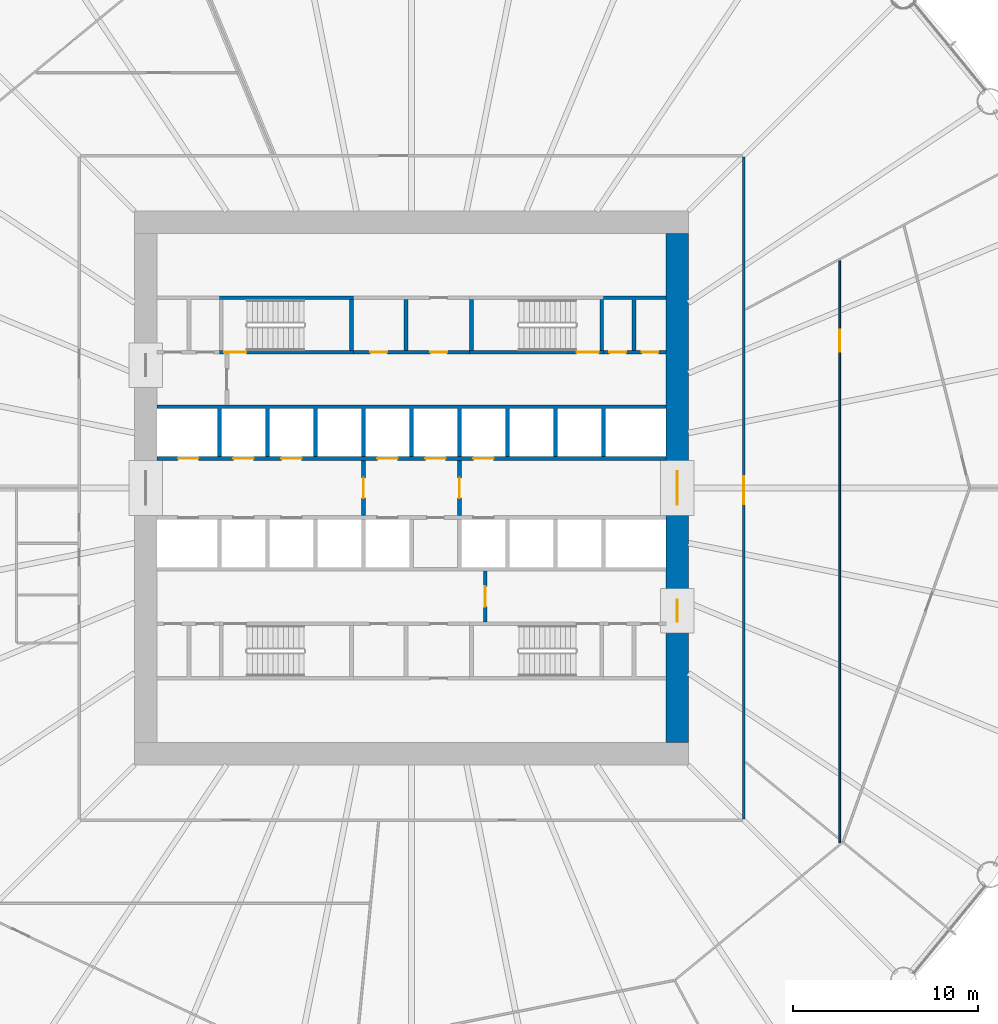
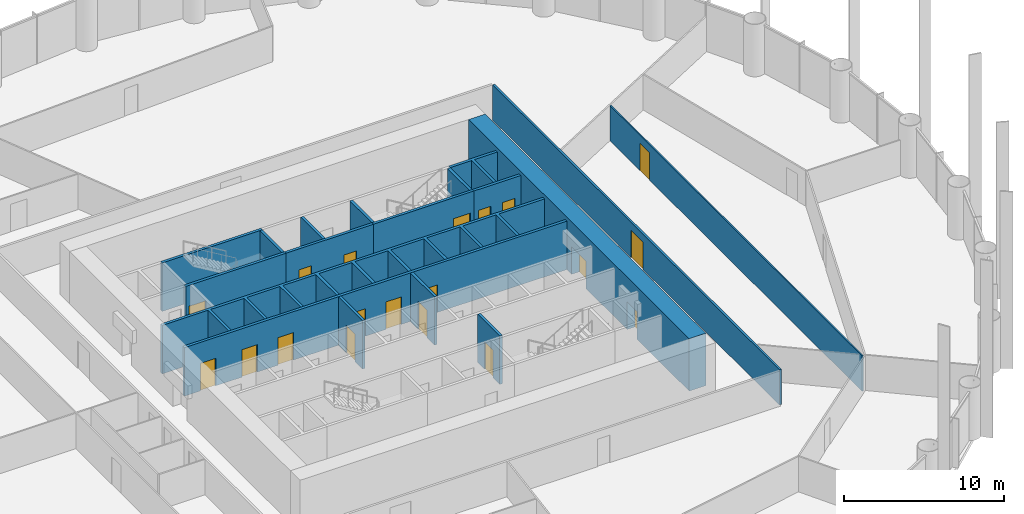
# One storey, part 11 of 14: 19 doors, 18 walls, 19 openings.
"""IFC4 building model written with IfcOpenShell, lengths in metres."""

from ifc_helpers import new_model, si_unit, direction, frame, frame_2d, origin, place, context, subcontext, project, spatial, polyline, rectangle, outline, extrude, material, layer, layer_set, type_object, element, fill, save


model = new_model("IFC4")

# Units and contexts
model_context = context("Model", 3, precision=1e-05, world=origin(), true_north=direction((0.0, 1.0)))
body_context = subcontext(model_context, "Body", "Model", "MODEL_VIEW")
ifc_project = project(units=[si_unit("LENGTHUNIT", "METRE"), si_unit("AREAUNIT", "SQUARE_METRE"), si_unit("VOLUMEUNIT", "CUBIC_METRE"), si_unit("PLANEANGLEUNIT", "RADIAN"), si_unit("MASSUNIT", "GRAM", prefix="KILO")], contexts=[model_context])

# Site, building, storey
site_placement = place(None, origin())
site = spatial("IfcSite", under=ifc_project, at=site_placement, CompositionType="ELEMENT")
building_placement = place(site_placement, origin())
building = spatial("IfcBuilding", under=site, at=building_placement, Name="Corvane Civic Tower", CompositionType="ELEMENT")
storey_placement = place(building_placement, frame((0.0, 0.0, 77.0)))
storey = spatial("IfcBuildingStorey", under=building, at=storey_placement, Name="L17", CompositionType="ELEMENT", Elevation=77.0)

# Wall, openings, doors
ifc_material_1 = material(Name="Concrete C80/95", Category="concrete")
ifc_layer_1 = layer(ifc_material_1, 1.199951171875)
ifc_layer_set_1 = layer_set([ifc_layer_1], Name="Concrete C80/95")
wall_type_1 = type_object("IfcWallType", Name="CORE WALL 1200 C80/95", PredefinedType="SHEAR", material=ifc_layer_set_1)
wall_1_placement = place(storey_placement, frame((14.39990234375, -13.800048828125, 0.0), z_axis=(0.0, 0.0, 1.0), x_axis=(0.0, 1.0, 0.0)))
wall_1 = element("IfcWall", 1, at=wall_1_placement, inside=storey, type_object=wall_type_1, Name="W-L17-core-E", PredefinedType="SHEAR", context=body_context, shape_type="SweptSolid", body=[
    extrude(rectangle(XDim=27.60009765625, YDim=1.199951171875, at=frame_2d((13.800048828125, 0.0))), origin(), (0.0, 0.0, 1.0), 4.0),
])
opening_1_placement = place(wall_1_placement, frame((12.89990234375, 0.0, 0.0)))
opening_1 = element("IfcOpeningElement", 2, at=opening_1_placement, cuts=wall_1, Name="Opening L17.C25", PredefinedType="OPENING", context=body_context, shape_type="SweptSolid", body=[
    extrude(rectangle(XDim=1.800048828125, YDim=2.10009765625, at=frame_2d((0.89990234375, 1.050048828125))), frame((0.0, 0.60986328125, 0.0), z_axis=(0.0, -1.0, 0.0), x_axis=(1.0, 0.0, 0.0)), (0.0, 0.0, 1.0), 1.219970703125),
])
opening_2_placement = place(wall_1_placement, frame((6.550048828125, 0.0, 0.0)))
opening_2 = element("IfcOpeningElement", 3, at=opening_2_placement, cuts=wall_1, Name="Opening L17.C27", PredefinedType="OPENING", context=body_context, shape_type="SweptSolid", body=[
    extrude(rectangle(XDim=1.199951171875, YDim=2.10009765625, at=frame_2d((0.60009765625, 1.050048828125))), frame((0.0, 0.60986328125, 0.0), z_axis=(0.0, -1.0, 0.0), x_axis=(1.0, 0.0, 0.0)), (0.0, 0.0, 1.0), 1.219970703125),
])
ifc_material_2 = material(Name="Steel fire door leaf", Category="steel")
door_type_1 = type_object("IfcDoorType", Name="CR-DOOR-CORE-1800", OperationType="DOUBLE_DOOR_SINGLE_SWING", PredefinedType="DOOR", material=ifc_material_2)
door_1_placement = place(opening_1_placement, origin())
door_1 = element("IfcDoor", 4, at=door_1_placement, inside=storey, type_object=door_type_1, Name="L17 door", OperationType="DOUBLE_DOOR_SINGLE_SWING", OverallHeight=2.10009765625, OverallWidth=1.800048828125, PredefinedType="DOOR", context=body_context, shape_type="SweptSolid", body=[
    extrude(rectangle(XDim=1.800048828125, YDim=2.10009765625, at=frame_2d((0.89990234375, 1.050048828125))), frame((0.0, 0.02490234375, 0.0), z_axis=(0.0, -1.0, 0.0), x_axis=(1.0, 0.0, 0.0)), (0.0, 0.0, 1.0), 0.050048828125),
])
fill(opening_1, door_1)
door_2_placement = place(opening_2_placement, origin())
door_2 = element("IfcDoor", 5, at=door_2_placement, inside=storey, type_object=door_type_1, Name="L17 door", OperationType="DOUBLE_DOOR_SINGLE_SWING", OverallHeight=2.10009765625, OverallWidth=1.199951171875, PredefinedType="DOOR", context=body_context, shape_type="SweptSolid", body=[
    extrude(rectangle(XDim=1.199951171875, YDim=2.10009765625, at=frame_2d((0.60009765625, 1.050048828125))), frame((0.0, 0.02490234375, 0.0), z_axis=(0.0, -1.0, 0.0), x_axis=(1.0, 0.0, 0.0)), (0.0, 0.0, 1.0), 0.050048828125),
])
fill(opening_2, door_2)

ifc_material_3 = material(Name="Concrete C30/37", Category="concrete")
ifc_layer_2 = layer(ifc_material_3, 0.199951171875)
ifc_layer_set_2 = layer_set([ifc_layer_2], Name="Concrete C30/37")
wall_type_2 = type_object("IfcWallType", Name="CR-WALL-200", PredefinedType="PARTITIONING", material=ifc_layer_set_2)
wall_2_placement = place(storey_placement, frame((-13.800048828125, 1.60009765625, 0.0), z_axis=(0.0, 0.0, 1.0), x_axis=(1.0, 0.0, 0.0)))
wall_2 = element("IfcWall", 6, at=wall_2_placement, inside=storey, type_object=wall_type_2, Name="L17 lift shaft wall", PredefinedType="PARTITIONING", context=body_context, shape_type="SweptSolid", body=[
    extrude(rectangle(XDim=27.60009765625, YDim=0.199951171875, at=frame_2d((13.800048828125, 0.0))), origin(), (0.0, 0.0, 1.0), 3.699951171875),
])
opening_3_placement = place(wall_2_placement, frame((1.14990234375, 0.0, 0.0)))
opening_3 = element("IfcOpeningElement", 7, at=opening_3_placement, cuts=wall_2, Name="Opening LD", PredefinedType="OPENING", context=body_context, shape_type="SweptSolid", body=[
    extrude(rectangle(XDim=1.10009765625, YDim=2.10009765625, at=frame_2d((0.550048828125, 1.050048828125))), frame((0.0, 0.10986328125, 0.0), z_axis=(0.0, -1.0, 0.0), x_axis=(1.0, 0.0, 0.0)), (0.0, 0.0, 1.0), 0.219970703125),
])
opening_4_placement = place(wall_2_placement, frame((4.14990234375, 0.0, 0.0)))
opening_4 = element("IfcOpeningElement", 8, at=opening_4_placement, cuts=wall_2, Name="Opening LD", PredefinedType="OPENING", context=body_context, shape_type="SweptSolid", body=[
    extrude(rectangle(XDim=1.10009765625, YDim=2.10009765625, at=frame_2d((0.550048828125, 1.050048828125))), frame((0.0, 0.10986328125, 0.0), z_axis=(0.0, -1.0, 0.0), x_axis=(1.0, 0.0, 0.0)), (0.0, 0.0, 1.0), 0.219970703125),
])
opening_5_placement = place(wall_2_placement, frame((6.75, 0.0, 0.0)))
opening_5 = element("IfcOpeningElement", 9, at=opening_5_placement, cuts=wall_2, Name="Opening LD", PredefinedType="OPENING", context=body_context, shape_type="SweptSolid", body=[
    extrude(rectangle(XDim=1.10009765625, YDim=2.10009765625, at=frame_2d((0.550048828125, 1.050048828125))), frame((0.0, 0.10986328125, 0.0), z_axis=(0.0, -1.0, 0.0), x_axis=(1.0, 0.0, 0.0)), (0.0, 0.0, 1.0), 0.219970703125),
])
opening_6_placement = place(wall_2_placement, frame((11.949951171875, 0.0, 0.0)))
opening_6 = element("IfcOpeningElement", 10, at=opening_6_placement, cuts=wall_2, Name="Opening LD", PredefinedType="OPENING", context=body_context, shape_type="SweptSolid", body=[
    extrude(rectangle(XDim=1.10009765625, YDim=2.10009765625, at=frame_2d((0.550048828125, 1.050048828125))), frame((0.0, 0.10986328125, 0.0), z_axis=(0.0, -1.0, 0.0), x_axis=(1.0, 0.0, 0.0)), (0.0, 0.0, 1.0), 0.219970703125),
])
opening_7_placement = place(wall_2_placement, frame((14.550048828125, 0.0, 0.0)))
opening_7 = element("IfcOpeningElement", 11, at=opening_7_placement, cuts=wall_2, Name="Opening LD", PredefinedType="OPENING", context=body_context, shape_type="SweptSolid", body=[
    extrude(rectangle(XDim=1.10009765625, YDim=2.10009765625, at=frame_2d((0.550048828125, 1.050048828125))), frame((0.0, 0.10986328125, 0.0), z_axis=(0.0, -1.0, 0.0), x_axis=(1.0, 0.0, 0.0)), (0.0, 0.0, 1.0), 0.219970703125),
])
opening_8_placement = place(wall_2_placement, frame((17.14990234375, 0.0, 0.0)))
opening_8 = element("IfcOpeningElement", 12, at=opening_8_placement, cuts=wall_2, Name="Opening LD", PredefinedType="OPENING", context=body_context, shape_type="SweptSolid", body=[
    extrude(rectangle(XDim=1.10009765625, YDim=2.10009765625, at=frame_2d((0.550048828125, 1.050048828125))), frame((0.0, 0.10986328125, 0.0), z_axis=(0.0, -1.0, 0.0), x_axis=(1.0, 0.0, 0.0)), (0.0, 0.0, 1.0), 0.219970703125),
])
ifc_material_4 = material(Name="Stainless steel 316 door leaves", Category="steel")
door_type_2 = type_object("IfcDoorType", Name="LD", OperationType="DOUBLE_DOOR_SLIDING", PredefinedType="DOOR", material=ifc_material_4)
door_3_placement = place(opening_3_placement, origin())
door_3 = element("IfcDoor", 13, at=door_3_placement, inside=storey, type_object=door_type_2, Name="L17 landing door", OperationType="DOUBLE_DOOR_SLIDING", OverallHeight=2.10009765625, OverallWidth=1.10009765625, PredefinedType="DOOR", context=body_context, shape_type="SweptSolid", body=[
    extrude(rectangle(XDim=1.10009765625, YDim=2.10009765625, at=frame_2d((0.550048828125, 1.050048828125))), frame((0.0, 0.02490234375, 0.0), z_axis=(0.0, -1.0, 0.0), x_axis=(1.0, 0.0, 0.0)), (0.0, 0.0, 1.0), 0.050048828125),
])
fill(opening_3, door_3)
door_4_placement = place(opening_4_placement, origin())
door_4 = element("IfcDoor", 14, at=door_4_placement, inside=storey, type_object=door_type_2, Name="L17 landing door", OperationType="DOUBLE_DOOR_SLIDING", OverallHeight=2.10009765625, OverallWidth=1.10009765625, PredefinedType="DOOR", context=body_context, shape_type="SweptSolid", body=[
    extrude(rectangle(XDim=1.10009765625, YDim=2.10009765625, at=frame_2d((0.550048828125, 1.050048828125))), frame((0.0, 0.02490234375, 0.0), z_axis=(0.0, -1.0, 0.0), x_axis=(1.0, 0.0, 0.0)), (0.0, 0.0, 1.0), 0.050048828125),
])
fill(opening_4, door_4)
door_5_placement = place(opening_5_placement, origin())
door_5 = element("IfcDoor", 15, at=door_5_placement, inside=storey, type_object=door_type_2, Name="L17 landing door", OperationType="DOUBLE_DOOR_SLIDING", OverallHeight=2.10009765625, OverallWidth=1.10009765625, PredefinedType="DOOR", context=body_context, shape_type="SweptSolid", body=[
    extrude(rectangle(XDim=1.10009765625, YDim=2.10009765625, at=frame_2d((0.550048828125, 1.050048828125))), frame((0.0, 0.02490234375, 0.0), z_axis=(0.0, -1.0, 0.0), x_axis=(1.0, 0.0, 0.0)), (0.0, 0.0, 1.0), 0.050048828125),
])
fill(opening_5, door_5)
door_6_placement = place(opening_6_placement, origin())
door_6 = element("IfcDoor", 16, at=door_6_placement, inside=storey, type_object=door_type_2, Name="L17 landing door", OperationType="DOUBLE_DOOR_SLIDING", OverallHeight=2.10009765625, OverallWidth=1.10009765625, PredefinedType="DOOR", context=body_context, shape_type="SweptSolid", body=[
    extrude(rectangle(XDim=1.10009765625, YDim=2.10009765625, at=frame_2d((0.550048828125, 1.050048828125))), frame((0.0, 0.02490234375, 0.0), z_axis=(0.0, -1.0, 0.0), x_axis=(1.0, 0.0, 0.0)), (0.0, 0.0, 1.0), 0.050048828125),
])
fill(opening_6, door_6)
door_7_placement = place(opening_7_placement, origin())
door_7 = element("IfcDoor", 17, at=door_7_placement, inside=storey, type_object=door_type_2, Name="L17 landing door", OperationType="DOUBLE_DOOR_SLIDING", OverallHeight=2.10009765625, OverallWidth=1.10009765625, PredefinedType="DOOR", context=body_context, shape_type="SweptSolid", body=[
    extrude(rectangle(XDim=1.10009765625, YDim=2.10009765625, at=frame_2d((0.550048828125, 1.050048828125))), frame((0.0, 0.02490234375, 0.0), z_axis=(0.0, -1.0, 0.0), x_axis=(1.0, 0.0, 0.0)), (0.0, 0.0, 1.0), 0.050048828125),
])
fill(opening_7, door_7)
door_8_placement = place(opening_8_placement, origin())
door_8 = element("IfcDoor", 18, at=door_8_placement, inside=storey, type_object=door_type_2, Name="L17 landing door", OperationType="DOUBLE_DOOR_SLIDING", OverallHeight=2.10009765625, OverallWidth=1.10009765625, PredefinedType="DOOR", context=body_context, shape_type="SweptSolid", body=[
    extrude(rectangle(XDim=1.10009765625, YDim=2.10009765625, at=frame_2d((0.550048828125, 1.050048828125))), frame((0.0, 0.02490234375, 0.0), z_axis=(0.0, -1.0, 0.0), x_axis=(1.0, 0.0, 0.0)), (0.0, 0.0, 1.0), 0.050048828125),
])
fill(opening_8, door_8)

wall_3_placement = place(storey_placement, frame((-3.14990234375, 7.35009765625, 0.0), z_axis=(0.0, 0.0, 1.0), x_axis=(1.0, 0.0, 0.0)))
wall_3 = element("IfcWall", 19, at=wall_3_placement, inside=storey, type_object=wall_type_2, Name="L17 core partition wall", PredefinedType="PARTITIONING", context=body_context, shape_type="SweptSolid", body=[
    extrude(rectangle(XDim=6.2998046875, YDim=0.199951171875, at=frame_2d((3.14990234375, 0.0))), origin(), (0.0, 0.0, 1.0), 3.699951171875),
])
opening_9_placement = place(wall_3_placement, frame((0.925048828125, 0.0, 0.0)))
opening_9 = element("IfcOpeningElement", 20, at=opening_9_placement, cuts=wall_3, Name="Opening L17.C02", PredefinedType="OPENING", context=body_context, shape_type="SweptSolid", body=[
    extrude(rectangle(XDim=0.89990234375, YDim=2.10009765625, at=frame_2d((0.449951171875, 1.050048828125))), frame((0.0, 0.10986328125, 0.0), z_axis=(0.0, -1.0, 0.0), x_axis=(1.0, 0.0, 0.0)), (0.0, 0.0, 1.0), 0.219970703125),
])
opening_10_placement = place(wall_3_placement, frame((4.175048828125, 0.0, 0.0)))
opening_10 = element("IfcOpeningElement", 21, at=opening_10_placement, cuts=wall_3, Name="Opening L17.C03", PredefinedType="OPENING", context=body_context, shape_type="SweptSolid", body=[
    extrude(rectangle(XDim=0.89990234375, YDim=2.10009765625, at=frame_2d((0.449951171875, 1.050048828125))), frame((0.0, 0.10986328125, 0.0), z_axis=(0.0, -1.0, 0.0), x_axis=(1.0, 0.0, 0.0)), (0.0, 0.0, 1.0), 0.219970703125),
])
ifc_material_5 = material(Name="Steel fire door leaf", Category="steel")
door_type_3 = type_object("IfcDoorType", Name="CR-DOOR-900", OperationType="SINGLE_SWING_LEFT", PredefinedType="DOOR", material=ifc_material_5)
door_9_placement = place(opening_9_placement, origin())
door_9 = element("IfcDoor", 22, at=door_9_placement, inside=storey, type_object=door_type_3, Name="L17 door", OperationType="SINGLE_SWING_LEFT", OverallHeight=2.10009765625, OverallWidth=0.89990234375, PredefinedType="DOOR", context=body_context, shape_type="SweptSolid", body=[
    extrude(rectangle(XDim=0.89990234375, YDim=2.10009765625, at=frame_2d((0.449951171875, 1.050048828125))), frame((0.0, 0.02490234375, 0.0), z_axis=(0.0, -1.0, 0.0), x_axis=(1.0, 0.0, 0.0)), (0.0, 0.0, 1.0), 0.050048828125),
])
fill(opening_9, door_9)
door_10_placement = place(opening_10_placement, origin())
door_10 = element("IfcDoor", 23, at=door_10_placement, inside=storey, type_object=door_type_3, Name="L17 door", OperationType="SINGLE_SWING_LEFT", OverallHeight=2.10009765625, OverallWidth=0.89990234375, PredefinedType="DOOR", context=body_context, shape_type="SweptSolid", body=[
    extrude(rectangle(XDim=0.89990234375, YDim=2.10009765625, at=frame_2d((0.449951171875, 1.050048828125))), frame((0.0, 0.02490234375, 0.0), z_axis=(0.0, -1.0, 0.0), x_axis=(1.0, 0.0, 0.0)), (0.0, 0.0, 1.0), 0.050048828125),
])
fill(opening_10, door_10)

wall_4_placement = place(storey_placement, frame((10.39990234375, 7.35009765625, 0.0), z_axis=(0.0, 0.0, 1.0), x_axis=(1.0, 0.0, 0.0)))
wall_4 = element("IfcWall", 24, at=wall_4_placement, inside=storey, type_object=wall_type_2, Name="L17 core partition wall", PredefinedType="PARTITIONING", context=body_context, shape_type="SweptSolid", body=[
    extrude(rectangle(XDim=3.400146484375, YDim=0.199951171875, at=frame_2d((1.7001953125, 0.0))), origin(), (0.0, 0.0, 1.0), 3.699951171875),
])
opening_11_placement = place(wall_4_placement, frame((0.324951171875, 0.0, 0.0)))
opening_11 = element("IfcOpeningElement", 25, at=opening_11_placement, cuts=wall_4, Name="Opening L17.C12", PredefinedType="OPENING", context=body_context, shape_type="SweptSolid", body=[
    extrude(rectangle(XDim=0.89990234375, YDim=2.10009765625, at=frame_2d((0.449951171875, 1.050048828125))), frame((0.0, 0.10986328125, 0.0), z_axis=(0.0, -1.0, 0.0), x_axis=(1.0, 0.0, 0.0)), (0.0, 0.0, 1.0), 0.219970703125),
])
opening_12_placement = place(wall_4_placement, frame((2.074951171875, 0.0, 0.0)))
opening_12 = element("IfcOpeningElement", 26, at=opening_12_placement, cuts=wall_4, Name="Opening L17.C13", PredefinedType="OPENING", context=body_context, shape_type="SweptSolid", body=[
    extrude(rectangle(XDim=0.89990234375, YDim=2.10009765625, at=frame_2d((0.449951171875, 1.050048828125))), frame((0.0, 0.10986328125, 0.0), z_axis=(0.0, -1.0, 0.0), x_axis=(1.0, 0.0, 0.0)), (0.0, 0.0, 1.0), 0.219970703125),
])
door_11_placement = place(opening_11_placement, origin())
door_11 = element("IfcDoor", 27, at=door_11_placement, inside=storey, type_object=door_type_3, Name="L17 door", OperationType="SINGLE_SWING_LEFT", OverallHeight=2.10009765625, OverallWidth=0.89990234375, PredefinedType="DOOR", context=body_context, shape_type="SweptSolid", body=[
    extrude(rectangle(XDim=0.89990234375, YDim=2.10009765625, at=frame_2d((0.449951171875, 1.050048828125))), frame((0.0, 0.02490234375, 0.0), z_axis=(0.0, -1.0, 0.0), x_axis=(1.0, 0.0, 0.0)), (0.0, 0.0, 1.0), 0.050048828125),
])
fill(opening_11, door_11)
door_12_placement = place(opening_12_placement, origin())
door_12 = element("IfcDoor", 28, at=door_12_placement, inside=storey, type_object=door_type_3, Name="L17 door", OperationType="SINGLE_SWING_LEFT", OverallHeight=2.10009765625, OverallWidth=0.89990234375, PredefinedType="DOOR", context=body_context, shape_type="SweptSolid", body=[
    extrude(rectangle(XDim=0.89990234375, YDim=2.10009765625, at=frame_2d((0.449951171875, 1.050048828125))), frame((0.0, 0.02490234375, 0.0), z_axis=(0.0, -1.0, 0.0), x_axis=(1.0, 0.0, 0.0)), (0.0, 0.0, 1.0), 0.050048828125),
])
fill(opening_12, door_12)

# Wall, opening, door
wall_5_placement = place(storey_placement, frame((-2.60009765625, -1.5, 0.0), z_axis=(0.0, 0.0, 1.0), x_axis=(0.0, 1.0, 0.0)))
wall_5 = element("IfcWall", 29, at=wall_5_placement, inside=storey, type_object=wall_type_2, Name="L17 firefighting lobby wall", PredefinedType="PARTITIONING", context=body_context, shape_type="SweptSolid", body=[
    extrude(rectangle(XDim=3.0, YDim=0.199951171875, at=frame_2d((1.5, 0.0))), origin(), (0.0, 0.0, 1.0), 3.699951171875),
])
opening_13_placement = place(wall_5_placement, frame((0.949951171875, 0.0, 0.0)))
opening_13 = element("IfcOpeningElement", 30, at=opening_13_placement, cuts=wall_5, Name="Opening L17.C20", PredefinedType="OPENING", context=body_context, shape_type="SweptSolid", body=[
    extrude(rectangle(XDim=1.10009765625, YDim=2.10009765625, at=frame_2d((0.550048828125, 1.050048828125))), frame((0.0, 0.10986328125, 0.0), z_axis=(0.0, -1.0, 0.0), x_axis=(1.0, 0.0, 0.0)), (0.0, 0.0, 1.0), 0.219970703125),
])
ifc_material_6 = material(Name="Steel fire door leaf", Category="steel")
door_type_4 = type_object("IfcDoorType", Name="CR-DOOR-FFL-1100", OperationType="SINGLE_SWING_LEFT", PredefinedType="DOOR", material=ifc_material_6)
door_13_placement = place(opening_13_placement, origin())
door_13 = element("IfcDoor", 31, at=door_13_placement, inside=storey, type_object=door_type_4, Name="L17 lobby door", OperationType="SINGLE_SWING_LEFT", OverallHeight=2.10009765625, OverallWidth=1.10009765625, PredefinedType="DOOR", context=body_context, shape_type="SweptSolid", body=[
    extrude(rectangle(XDim=1.10009765625, YDim=2.10009765625, at=frame_2d((0.550048828125, 1.050048828125))), frame((0.0, 0.02490234375, 0.0), z_axis=(0.0, -1.0, 0.0), x_axis=(1.0, 0.0, 0.0)), (0.0, 0.0, 1.0), 0.050048828125),
])
fill(opening_13, door_13)

wall_6_placement = place(storey_placement, frame((2.60009765625, -1.5, 0.0), z_axis=(0.0, 0.0, 1.0), x_axis=(0.0, 1.0, 0.0)))
wall_6 = element("IfcWall", 32, at=wall_6_placement, inside=storey, type_object=wall_type_2, Name="L17 firefighting lobby wall", PredefinedType="PARTITIONING", context=body_context, shape_type="SweptSolid", body=[
    extrude(rectangle(XDim=3.0, YDim=0.199951171875, at=frame_2d((1.5, 0.0))), origin(), (0.0, 0.0, 1.0), 3.699951171875),
])
opening_14_placement = place(wall_6_placement, frame((0.949951171875, 0.0, 0.0)))
opening_14 = element("IfcOpeningElement", 33, at=opening_14_placement, cuts=wall_6, Name="Opening L17.C21", PredefinedType="OPENING", context=body_context, shape_type="SweptSolid", body=[
    extrude(rectangle(XDim=1.10009765625, YDim=2.10009765625, at=frame_2d((0.550048828125, 1.050048828125))), frame((0.0, 0.10986328125, 0.0), z_axis=(0.0, -1.0, 0.0), x_axis=(1.0, 0.0, 0.0)), (0.0, 0.0, 1.0), 0.219970703125),
])
door_14_placement = place(opening_14_placement, origin())
door_14 = element("IfcDoor", 34, at=door_14_placement, inside=storey, type_object=door_type_4, Name="L17 lobby door", OperationType="SINGLE_SWING_LEFT", OverallHeight=2.10009765625, OverallWidth=1.10009765625, PredefinedType="DOOR", context=body_context, shape_type="SweptSolid", body=[
    extrude(rectangle(XDim=1.10009765625, YDim=2.10009765625, at=frame_2d((0.550048828125, 1.050048828125))), frame((0.0, 0.02490234375, 0.0), z_axis=(0.0, -1.0, 0.0), x_axis=(1.0, 0.0, 0.0)), (0.0, 0.0, 1.0), 0.050048828125),
])
fill(opening_14, door_14)

wall_7_placement = place(storey_placement, frame((4.0, -7.25, 0.0), z_axis=(0.0, 0.0, 1.0), x_axis=(0.0, 1.0, 0.0)))
wall_7 = element("IfcWall", 35, at=wall_7_placement, inside=storey, type_object=wall_type_2, Name="L17 core partition wall", PredefinedType="PARTITIONING", context=body_context, shape_type="SweptSolid", body=[
    extrude(rectangle(XDim=2.75, YDim=0.199951171875, at=frame_2d((1.375, 0.0))), origin(), (0.0, 0.0, 1.0), 3.699951171875),
])
opening_15_placement = place(wall_7_placement, frame((0.824951171875, 0.0, 0.0)))
opening_15 = element("IfcOpeningElement", 36, at=opening_15_placement, cuts=wall_7, Name="Opening L17.C23", PredefinedType="OPENING", context=body_context, shape_type="SweptSolid", body=[
    extrude(rectangle(XDim=1.10009765625, YDim=2.10009765625, at=frame_2d((0.550048828125, 1.050048828125))), frame((0.0, 0.10986328125, 0.0), z_axis=(0.0, -1.0, 0.0), x_axis=(1.0, 0.0, 0.0)), (0.0, 0.0, 1.0), 0.219970703125),
])
door_15_placement = place(opening_15_placement, origin())
door_15 = element("IfcDoor", 37, at=door_15_placement, inside=storey, type_object=door_type_4, Name="L17 lobby door", OperationType="SINGLE_SWING_LEFT", OverallHeight=2.10009765625, OverallWidth=1.10009765625, PredefinedType="DOOR", context=body_context, shape_type="SweptSolid", body=[
    extrude(rectangle(XDim=1.10009765625, YDim=2.10009765625, at=frame_2d((0.550048828125, 1.050048828125))), frame((0.0, 0.02490234375, 0.0), z_axis=(0.0, -1.0, 0.0), x_axis=(1.0, 0.0, 0.0)), (0.0, 0.0, 1.0), 0.050048828125),
])
fill(opening_15, door_15)

# Walls
wall_8_placement = place(storey_placement, origin())
element("IfcWall", 38, at=wall_8_placement, inside=storey, type_object=wall_type_2, Name="L17 core partition wall", PredefinedType="PARTITIONING", context=body_context, shape_type="SweptSolid", body=[
    extrude(outline(polyline([(-0.199951171875, 7.449951171875), (-0.39990234375, 7.449951171875), (-0.39990234375, 10.199951171875), (-0.199951171875, 10.199951171875), (-0.199951171875, 7.449951171875)])), origin(), (0.0, 0.0, 1.0), 3.699951171875),
])
wall_9_placement = place(storey_placement, origin())
element("IfcWall", 39, at=wall_9_placement, inside=storey, type_object=wall_type_2, Name="L17 core partition wall", PredefinedType="PARTITIONING", context=body_context, shape_type="SweptSolid", body=[
    extrude(outline(polyline([(-10.300048828125, 1.699951171875), (-10.5, 1.699951171875), (-10.5, 4.300048828125), (-13.800048828125, 4.300048828125), (-13.800048828125, 4.5), (13.800048828125, 4.5), (13.800048828125, 4.300048828125), (10.5, 4.300048828125), (10.5, 1.699951171875), (10.300048828125, 1.699951171875), (10.300048828125, 4.300048828125), (7.89990234375, 4.300048828125), (7.89990234375, 1.699951171875), (7.699951171875, 1.699951171875), (7.699951171875, 4.300048828125), (5.300048828125, 4.300048828125), (5.300048828125, 1.699951171875), (5.10009765625, 1.699951171875), (5.10009765625, 4.300048828125), (2.699951171875, 4.300048828125), (2.699951171875, 1.699951171875), (2.5, 1.699951171875), (2.5, 4.300048828125), (0.10009765625, 4.300048828125), (0.10009765625, 1.699951171875), (-0.10009765625, 1.699951171875), (-0.10009765625, 4.300048828125), (-2.5, 4.300048828125), (-2.5, 1.699951171875), (-2.699951171875, 1.699951171875), (-2.699951171875, 4.300048828125), (-5.10009765625, 4.300048828125), (-5.10009765625, 1.699951171875), (-5.300048828125, 1.699951171875), (-5.300048828125, 4.300048828125), (-7.699951171875, 4.300048828125), (-7.699951171875, 1.699951171875), (-7.89990234375, 1.699951171875), (-7.89990234375, 4.300048828125), (-10.300048828125, 4.300048828125), (-10.300048828125, 1.699951171875)])), origin(), (0.0, 0.0, 1.0), 3.699951171875),
])
wall_10_placement = place(storey_placement, origin())
element("IfcWall", 40, at=wall_10_placement, inside=storey, type_object=wall_type_2, Name="L17 core partition wall", PredefinedType="PARTITIONING", context=body_context, shape_type="SweptSolid", body=[
    extrude(outline(polyline([(13.800048828125, 10.39990234375), (13.800048828125, 10.199951171875), (12.14990234375, 10.199951171875), (12.14990234375, 7.449951171875), (11.949951171875, 7.449951171875), (11.949951171875, 10.199951171875), (10.39990234375, 10.199951171875), (10.39990234375, 10.39990234375), (13.800048828125, 10.39990234375)])), origin(), (0.0, 0.0, 1.0), 3.699951171875),
])

# Wall, opening, door
ifc_material_7 = material(Name="Plasterboard")
ifc_layer_3 = layer(ifc_material_7, 0.10009765625)
ifc_layer_set_3 = layer_set([ifc_layer_3], Name="Plasterboard")
wall_type_3 = type_object("IfcWallType", Name="Partition 100 plasterboard on studs", PredefinedType="PARTITIONING", material=ifc_layer_set_3)
wall_11_placement = place(storey_placement, frame((23.199951171875, -19.223876953125, 0.0), z_axis=(0.0, 0.0, 1.0), x_axis=(0.0, 1.0, 0.0)))
wall_11 = element("IfcWall", 41, at=wall_11_placement, inside=storey, type_object=wall_type_3, Name="Partition L17.010", PredefinedType="PARTITIONING", context=body_context, shape_type="SweptSolid", body=[
    extrude(rectangle(XDim=31.541015625, YDim=0.10009765625, at=frame_2d((15.7705078125, 0.0))), origin(), (0.0, 0.0, 1.0), 2.699951171875),
])
opening_16_placement = place(wall_11_placement, frame((26.597412109375, 0.0, 0.0)))
opening_16 = element("IfcOpeningElement", 42, at=opening_16_placement, cuts=wall_11, Name="Opening L17.007", PredefinedType="OPENING", context=body_context, shape_type="SweptSolid", body=[
    extrude(rectangle(XDim=1.199951171875, YDim=2.10009765625, at=frame_2d((0.60009765625, 1.050048828125))), frame((0.0, 0.06005859375, 0.0), z_axis=(0.0, -1.0, 0.0), x_axis=(1.0, 0.0, 0.0)), (0.0, 0.0, 1.0), 0.1201171875),
])
ifc_material_8 = material(Name="Timber", Category="wood")
door_type_5 = type_object("IfcDoorType", Name="Double door 1200", OperationType="NOTDEFINED", PredefinedType="DOOR", material=ifc_material_8)
door_16_placement = place(opening_16_placement, frame((1.199951171875, 0.0, 0.0), z_axis=(0.0, 0.0, 1.0), x_axis=(-1.0, 0.0, 0.0)))
door_16 = element("IfcDoor", 43, at=door_16_placement, inside=storey, type_object=door_type_5, Name="Door L17.007", OperationType="DOUBLE_DOOR_SINGLE_SWING", OverallHeight=2.10009765625, OverallWidth=1.199951171875, PredefinedType="DOOR", context=body_context, shape_type="SweptSolid", body=[
    extrude(rectangle(XDim=1.199951171875, YDim=2.10009765625, at=frame_2d((0.60009765625, 1.050048828125))), frame((0.0, 0.02490234375, 0.0), z_axis=(0.0, -1.0, 0.0), x_axis=(1.0, 0.0, 0.0)), (0.0, 0.0, 1.0), 0.050048828125),
])
fill(opening_16, door_16)

ifc_material_9 = material(Name="Concrete C50/60", Category="concrete")
ifc_layer_4 = layer(ifc_material_9, 0.199951171875)
ifc_layer_set_4 = layer_set([ifc_layer_4], Name="Concrete C50/60")
wall_type_4 = type_object("IfcWallType", Name="ST-WALL-200", PredefinedType="SHEAR", material=ifc_layer_set_4)
wall_12_placement = place(storey_placement, frame((-10.39990234375, 7.35009765625, 0.0), z_axis=(0.0, 0.0, 1.0), x_axis=(1.0, 0.0, 0.0)))
wall_12 = element("IfcWall", 44, at=wall_12_placement, inside=storey, type_object=wall_type_4, Name="L17 stair enclosure wall", PredefinedType="SHEAR", context=body_context, shape_type="SweptSolid", body=[
    extrude(rectangle(XDim=7.25, YDim=0.199951171875, at=frame_2d((3.625, 0.0))), origin(), (0.0, 0.0, 1.0), 3.699951171875),
])
opening_17_placement = place(wall_12_placement, frame((0.25, 0.0, 0.0)))
opening_17 = element("IfcOpeningElement", 45, at=opening_17_placement, cuts=wall_12, Name="Opening L17.C17", PredefinedType="OPENING", context=body_context, shape_type="SweptSolid", body=[
    extrude(rectangle(XDim=1.199951171875, YDim=2.10009765625, at=frame_2d((0.60009765625, 1.050048828125))), frame((0.0, 0.10986328125, 0.0), z_axis=(0.0, -1.0, 0.0), x_axis=(1.0, 0.0, 0.0)), (0.0, 0.0, 1.0), 0.219970703125),
])
ifc_material_10 = material(Name="Steel fire door leaf", Category="steel")
door_type_6 = type_object("IfcDoorType", Name="ST-DOOR-1200", OperationType="SINGLE_SWING_RIGHT", PredefinedType="DOOR", material=ifc_material_10)
door_17_placement = place(opening_17_placement, origin())
door_17 = element("IfcDoor", 46, at=door_17_placement, inside=storey, type_object=door_type_6, Name="L17 stair door", OperationType="SINGLE_SWING_RIGHT", OverallHeight=2.10009765625, OverallWidth=1.199951171875, PredefinedType="DOOR", context=body_context, shape_type="SweptSolid", body=[
    extrude(rectangle(XDim=1.199951171875, YDim=2.10009765625, at=frame_2d((0.60009765625, 1.050048828125))), frame((0.0, 0.02490234375, 0.0), z_axis=(0.0, -1.0, 0.0), x_axis=(1.0, 0.0, 0.0)), (0.0, 0.0, 1.0), 0.050048828125),
])
fill(opening_17, door_17)

wall_13_placement = place(storey_placement, frame((3.14990234375, 7.35009765625, 0.0), z_axis=(0.0, 0.0, 1.0), x_axis=(1.0, 0.0, 0.0)))
wall_13 = element("IfcWall", 47, at=wall_13_placement, inside=storey, type_object=wall_type_4, Name="L17 stair enclosure wall", PredefinedType="SHEAR", context=body_context, shape_type="SweptSolid", body=[
    extrude(rectangle(XDim=7.25, YDim=0.199951171875, at=frame_2d((3.625, 0.0))), origin(), (0.0, 0.0, 1.0), 3.699951171875),
])
opening_18_placement = place(wall_13_placement, frame((5.800048828125, 0.0, 0.0)))
opening_18 = element("IfcOpeningElement", 48, at=opening_18_placement, cuts=wall_13, Name="Opening L17.C16", PredefinedType="OPENING", context=body_context, shape_type="SweptSolid", body=[
    extrude(rectangle(XDim=1.199951171875, YDim=2.10009765625, at=frame_2d((0.60009765625, 1.050048828125))), frame((0.0, 0.10986328125, 0.0), z_axis=(0.0, -1.0, 0.0), x_axis=(1.0, 0.0, 0.0)), (0.0, 0.0, 1.0), 0.219970703125),
])
door_18_placement = place(opening_18_placement, origin())
door_18 = element("IfcDoor", 49, at=door_18_placement, inside=storey, type_object=door_type_6, Name="L17 stair door", OperationType="SINGLE_SWING_RIGHT", OverallHeight=2.10009765625, OverallWidth=1.199951171875, PredefinedType="DOOR", context=body_context, shape_type="SweptSolid", body=[
    extrude(rectangle(XDim=1.199951171875, YDim=2.10009765625, at=frame_2d((0.60009765625, 1.050048828125))), frame((0.0, 0.02490234375, 0.0), z_axis=(0.0, -1.0, 0.0), x_axis=(1.0, 0.0, 0.0)), (0.0, 0.0, 1.0), 0.050048828125),
])
fill(opening_18, door_18)

# Walls
wall_14_placement = place(storey_placement, origin())
element("IfcWall", 50, at=wall_14_placement, inside=storey, type_object=wall_type_4, Name="L17 stair enclosure wall", PredefinedType="SHEAR", context=body_context, shape_type="SweptSolid", body=[
    extrude(outline(polyline([(-3.14990234375, 10.199951171875), (-10.39990234375, 10.199951171875), (-10.39990234375, 10.39990234375), (-3.14990234375, 10.39990234375), (-3.14990234375, 10.199951171875)])), origin(), (0.0, 0.0, 1.0), 3.699951171875),
])
wall_15_placement = place(storey_placement, origin())
element("IfcWall", 51, at=wall_15_placement, inside=storey, type_object=wall_type_4, Name="L17 stair enclosure wall", PredefinedType="SHEAR", context=body_context, shape_type="SweptSolid", body=[
    extrude(outline(polyline([(-3.14990234375, 7.449951171875), (-3.35009765625, 7.449951171875), (-3.35009765625, 10.199951171875), (-3.14990234375, 10.199951171875), (-3.14990234375, 7.449951171875)])), origin(), (0.0, 0.0, 1.0), 3.699951171875),
])
wall_16_placement = place(storey_placement, origin())
element("IfcWall", 52, at=wall_16_placement, inside=storey, type_object=wall_type_4, Name="L17 stair enclosure wall", PredefinedType="SHEAR", context=body_context, shape_type="SweptSolid", body=[
    extrude(outline(polyline([(3.35009765625, 7.449951171875), (3.14990234375, 7.449951171875), (3.14990234375, 10.199951171875), (3.35009765625, 10.199951171875), (3.35009765625, 7.449951171875)])), origin(), (0.0, 0.0, 1.0), 3.699951171875),
])
wall_17_placement = place(storey_placement, origin())
element("IfcWall", 53, at=wall_17_placement, inside=storey, type_object=wall_type_4, Name="L17 stair enclosure wall", PredefinedType="SHEAR", context=body_context, shape_type="SweptSolid", body=[
    extrude(outline(polyline([(10.39990234375, 7.449951171875), (10.199951171875, 7.449951171875), (10.199951171875, 10.199951171875), (10.39990234375, 10.199951171875), (10.39990234375, 7.449951171875)])), origin(), (0.0, 0.0, 1.0), 3.699951171875),
])

# Wall, opening, door
ifc_material_11 = material(Name="Plasterboard")
ifc_layer_5 = layer(ifc_material_11, 0.14990234375)
ifc_layer_set_5 = layer_set([ifc_layer_5], Name="Plasterboard")
wall_type_5 = type_object("IfcWallType", Name="Tenancy wall 150 EI 60", PredefinedType="PARTITIONING", material=ifc_layer_set_5)
wall_18_placement = place(storey_placement, frame((18.0, -17.925048828125, 0.0), z_axis=(0.0, 0.0, 1.0), x_axis=(0.0, 1.0, 0.0)))
wall_18 = element("IfcWall", 54, at=wall_18_placement, inside=storey, type_object=wall_type_5, Name="Partition L17.015", PredefinedType="PARTITIONING", context=body_context, shape_type="SweptSolid", body=[
    extrude(rectangle(XDim=35.85009765625, YDim=0.14990234375, at=frame_2d((17.925048828125, 0.0))), origin(), (0.0, 0.0, 1.0), 2.699951171875),
])
opening_19_placement = place(wall_18_placement, frame((17.0537109375, 0.0, 0.0)))
opening_19 = element("IfcOpeningElement", 55, at=opening_19_placement, cuts=wall_18, Name="Opening L17.008", PredefinedType="OPENING", context=body_context, shape_type="SweptSolid", body=[
    extrude(rectangle(XDim=1.5, YDim=2.10009765625, at=frame_2d((0.75, 1.050048828125))), frame((0.0, 0.0849609375, 0.0), z_axis=(0.0, -1.0, 0.0), x_axis=(1.0, 0.0, 0.0)), (0.0, 0.0, 1.0), 0.169921875),
])
ifc_material_12 = material(Name="Steel and timber", Category="steel")
door_type_7 = type_object("IfcDoorType", Name="Fire door FD60 double 1500", OperationType="NOTDEFINED", PredefinedType="DOOR", material=ifc_material_12)
door_19_placement = place(opening_19_placement, frame((1.5, 0.0, 0.0), z_axis=(0.0, 0.0, 1.0), x_axis=(-1.0, 0.0, 0.0)))
door_19 = element("IfcDoor", 56, at=door_19_placement, inside=storey, type_object=door_type_7, Name="Door L17.008", OperationType="DOUBLE_DOOR_SINGLE_SWING", OverallHeight=2.10009765625, OverallWidth=1.5, PredefinedType="DOOR", context=body_context, shape_type="SweptSolid", body=[
    extrude(rectangle(XDim=1.5, YDim=2.10009765625, at=frame_2d((0.75, 1.050048828125))), frame((0.0, 0.02490234375, 0.0), z_axis=(0.0, -1.0, 0.0), x_axis=(1.0, 0.0, 0.0)), (0.0, 0.0, 1.0), 0.050048828125),
])
fill(opening_19, door_19)

save(model, "model.ifc")
